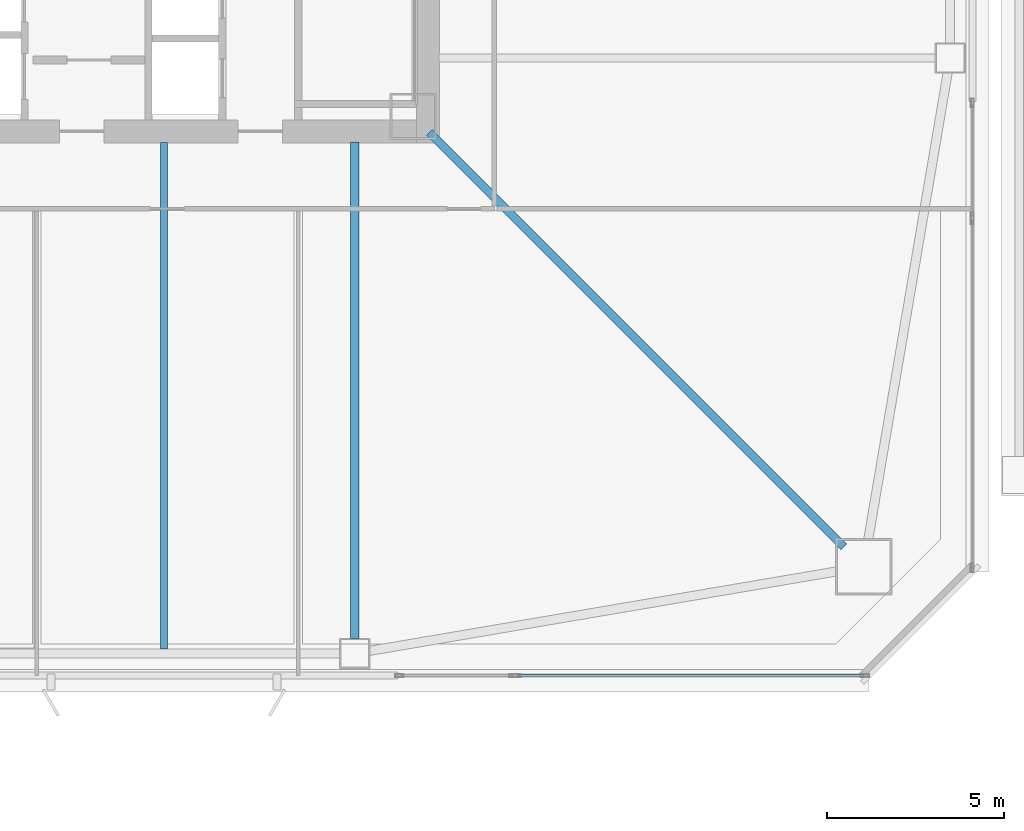
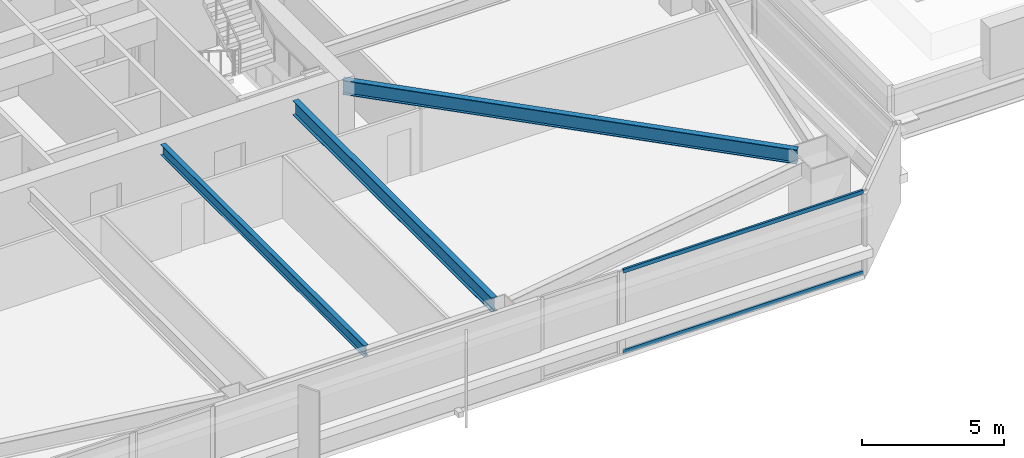
# One storey, part 8 of 62: 3 beams, 2 members, 1 element without a shape of its own.
"""IFC4 building model written with IfcOpenShell, lengths in metres."""

from ifc_helpers import new_model, si_unit, direction, frame, origin, origin_2d, place, context, subcontext, project, spatial, hollow_rectangle, i_section, extrude, material, material_profile, profile_set, type_object, element, aggregate, save


model = new_model("IFC4")

# Units and contexts
model_context = context("Model", 3, precision=1e-05, world=origin(), true_north=direction((0.0, 1.0)))
body_context = subcontext(model_context, "Body", "Model", "MODEL_VIEW")
ifc_project = project(units=[si_unit("LENGTHUNIT", "METRE"), si_unit("AREAUNIT", "SQUARE_METRE"), si_unit("VOLUMEUNIT", "CUBIC_METRE"), si_unit("PLANEANGLEUNIT", "RADIAN"), si_unit("MASSUNIT", "GRAM", prefix="KILO")], contexts=[model_context])

# Site, building, storey
site_placement = place(None, origin())
site = spatial("IfcSite", under=ifc_project, at=site_placement, CompositionType="ELEMENT")
building_placement = place(site_placement, origin())
building = spatial("IfcBuilding", under=site, at=building_placement, Name="Tashvorn Skyway Center", CompositionType="ELEMENT")
storey_placement = place(building_placement, frame((0.0, 0.0, 28.14990234375)))
storey = spatial("IfcBuildingStorey", under=building, at=storey_placement, Name="L06", CompositionType="ELEMENT", Elevation=28.14990234375)

# Beams
ifc_material_1 = material(Name="Steel ASTM A992 Grade 50", Category="steel")
ifc_material_profile_1 = material_profile(ifc_material_1, i_section(OverallWidth=0.22998046875, OverallDepth=0.616943359375, WebThickness=0.01318359375, FlangeThickness=0.022216796875, at=origin_2d()), Name="W24X94")
ifc_profile_set_1 = profile_set([ifc_material_profile_1], Name="Steel ASTM A992 Grade 50")
beam_type_1 = type_object("IfcBeamType", Name="BM-BEAM-W24X94", PredefinedType="BEAM", material=ifc_profile_set_1)
beam_1_placement = place(storey_placement, frame((61.23779296875, 12.76220703125, 3.04150390625), z_axis=(-0.707106781187, 0.707106781187, 0.0), x_axis=(-0.707106781187, -0.707106781187, 0.0)))
element("IfcBeam", 1, at=beam_1_placement, inside=storey, type_object=beam_type_1, Name="Tower 1 L06 Primary Floor Girder MC-SE", PredefinedType="BEAM", context=body_context, shape_type="SweptSolid", body=[
    extrude(i_section(OverallWidth=0.22998046875, OverallDepth=0.616943359375, WebThickness=0.01318359375, FlangeThickness=0.022216796875, at=origin_2d()), origin(), (0.0, 0.0, 1.0), 16.591064453125),
])
beam_2_placement = place(storey_placement, frame((47.39990234375, 10.169921875, 3.04150390625), z_axis=(0.0, 1.0, 0.0), x_axis=(-1.0, 0.0, 0.0)))
element("IfcBeam", 2, at=beam_2_placement, inside=storey, type_object=beam_type_1, Name="Tower 1 L06 Primary Floor Girder FC-S2", PredefinedType="BEAM", context=body_context, shape_type="SweptSolid", body=[
    extrude(i_section(OverallWidth=0.22998046875, OverallDepth=0.616943359375, WebThickness=0.01318359375, FlangeThickness=0.022216796875, at=origin_2d()), origin(), (0.0, 0.0, 1.0), 14.050048828125),
])
ifc_material_profile_2 = material_profile(ifc_material_1, i_section(OverallWidth=0.19091796875, OverallDepth=0.4599609375, WebThickness=0.010009765625, FlangeThickness=0.01611328125, at=origin_2d()), Name="W18X55")
ifc_profile_set_2 = profile_set([ifc_material_profile_2], Name="Steel ASTM A992 Grade 50")
beam_type_2 = type_object("IfcBeamType", Name="BM-JOIST-W18X55", PredefinedType="JOIST", material=ifc_profile_set_2)
beam_3_placement = place(storey_placement, frame((42.0, 24.2099609375, 3.1201171875), z_axis=(0.0, -1.0, 0.0), x_axis=(1.0, 0.0, 0.0)))
element("IfcBeam", 3, at=beam_3_placement, inside=storey, type_object=beam_type_2, Name="Tower 1 L06 Secondary Composite Joist JS", PredefinedType="JOIST", context=body_context, shape_type="SweptSolid", body=[
    extrude(i_section(OverallWidth=0.19091796875, OverallDepth=0.4599609375, WebThickness=0.010009765625, FlangeThickness=0.01611328125, at=origin_2d()), origin(), (0.0, 0.0, 1.0), 14.33984375),
])

# Curtain wall, members
ifc_material_2 = material(Name="Thermally broken bronze-anodized aluminium 6063-T6", Category="aluminium")
curtain_wall_type = type_object("IfcCurtainWallType", Name="CW-CW-Z1", PredefinedType="NOTDEFINED", material=ifc_material_2)
curtain_wall_placement = place(storey_placement, origin())
curtain_wall = element("IfcCurtainWall", 4, at=curtain_wall_placement, inside=storey, type_object=curtain_wall_type, Name="Tower 1 L06 South Unitised Curtain Wall Glazing Group 1", PredefinedType="NOTDEFINED")
ifc_material_profile_3 = material_profile(ifc_material_2, hollow_rectangle(XDim=0.0849609375, YDim=0.1650390625, WallThickness=0.0048828125, at=origin_2d()), Name="ALU-TRAN-85x165")
ifc_profile_set_3 = profile_set([ifc_material_profile_3], Name="Thermally broken bronze-anodized aluminium 6063-T6")
member_type = type_object("IfcMemberType", Name="CWT-CW-Z1", PredefinedType="USERDEFINED", material=ifc_profile_set_3)
member_1_placement = place(storey_placement, frame((61.794921875, 9.1201171875, 0.04248046875), z_axis=(-1.0, 0.0, 0.0), x_axis=(0.0, -1.0, 0.0)))
member_1 = element("IfcMember", 5, at=member_1_placement, type_object=member_type, Name="CW-Z1 transom 1.1", ObjectType="TRANSOM", PredefinedType="USERDEFINED", context=body_context, shape_type="SweptSolid", body=[
    extrude(hollow_rectangle(XDim=0.0849609375, YDim=0.1650390625, WallThickness=0.0048828125, at=origin_2d()), origin(), (0.0, 0.0, 1.0), 9.77001953125),
])
member_2_placement = place(storey_placement, frame((61.794921875, 9.1201171875, 3.507568359375), z_axis=(-1.0, 0.0, 0.0), x_axis=(0.0, -1.0, 0.0)))
member_2 = element("IfcMember", 6, at=member_2_placement, type_object=member_type, Name="CW-Z1 transom 1.2", ObjectType="TRANSOM", PredefinedType="USERDEFINED", context=body_context, shape_type="SweptSolid", body=[
    extrude(hollow_rectangle(XDim=0.0849609375, YDim=0.1650390625, WallThickness=0.0048828125, at=origin_2d()), origin(), (0.0, 0.0, 1.0), 9.77001953125),
])
aggregate(curtain_wall, [member_1, member_2])

save(model, "model.ifc")
